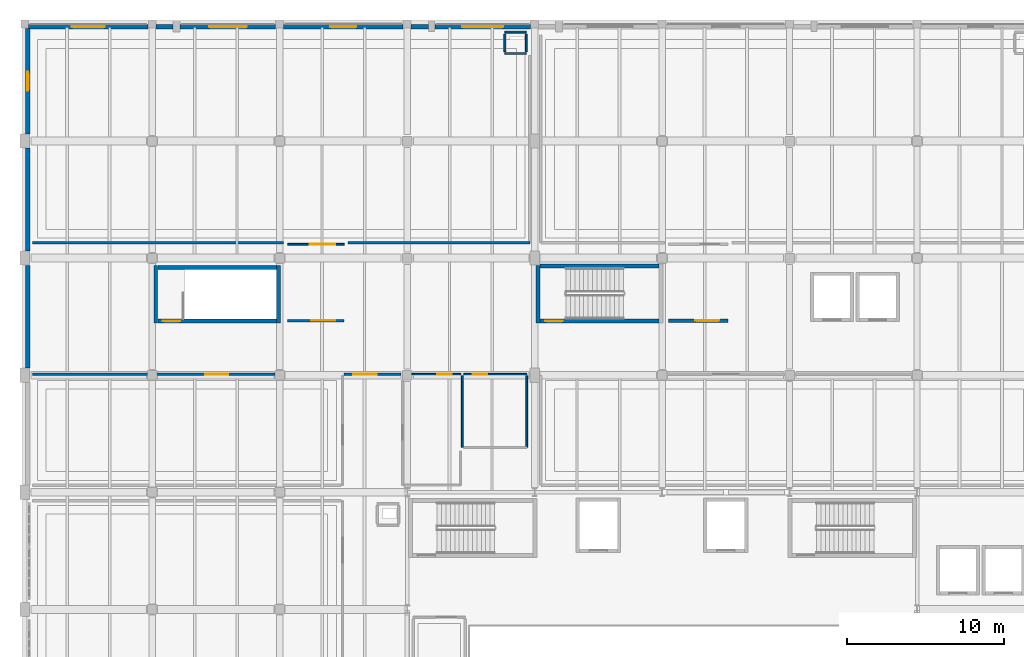
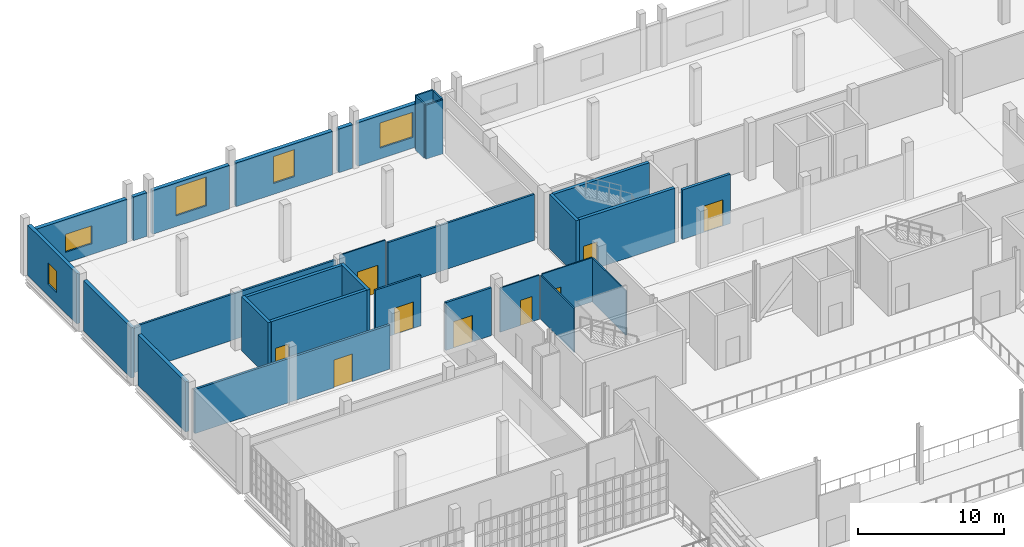
# One storey, part 92 of 104: 31 walls, 9 doors, 5 windows, 14 openings.
"""IFC4 building model written with IfcOpenShell, lengths in metres."""

from ifc_helpers import new_model, si_unit, direction, frame, frame_2d, origin, place, context, subcontext, project, spatial, rectangle, extrude, material, layer, layer_set, type_object, element, fill, save


model = new_model("IFC4")

# Units and contexts
model_context = context("Model", 3, precision=1e-05, world=origin(), true_north=direction((0.0, 1.0)))
body_context = subcontext(model_context, "Body", "Model", "MODEL_VIEW")
ifc_project = project(units=[si_unit("LENGTHUNIT", "METRE"), si_unit("AREAUNIT", "SQUARE_METRE"), si_unit("VOLUMEUNIT", "CUBIC_METRE"), si_unit("PLANEANGLEUNIT", "RADIAN"), si_unit("MASSUNIT", "GRAM", prefix="KILO")], contexts=[model_context])

# Site, building, storey
site_placement = place(None, origin())
site = spatial("IfcSite", under=ifc_project, at=site_placement, CompositionType="ELEMENT")
building_placement = place(site_placement, origin())
building = spatial("IfcBuilding", under=site, at=building_placement, Name="Kaelora Sail Theatre", CompositionType="ELEMENT")
storey_placement = place(building_placement, frame((0.0, 0.0, 5.39990234375)))
storey = spatial("IfcBuildingStorey", under=building, at=storey_placement, Name="L01", CompositionType="ELEMENT", Elevation=5.39990234375)

# Wall, opening, door
ifc_material_1 = material(Name="Concrete C40/50", Category="concrete")
ifc_layer_1 = layer(ifc_material_1, 0.25)
ifc_layer_set_1 = layer_set([ifc_layer_1], Name="Concrete C40/50")
wall_type_1 = type_object("IfcWallType", Name="ARC-WL-CW-250", PredefinedType="SHEAR", material=ifc_layer_set_1)
wall_1_placement = place(storey_placement, frame((34.2548828125, 94.22509765625, 0.0), z_axis=(0.0, 0.0, 1.0), x_axis=(1.0, 0.0, 0.0)))
wall_1 = element("IfcWall", 1, at=wall_1_placement, inside=storey, type_object=wall_type_1, Name="Stair shaft ST-K2 wall L01-S", PredefinedType="SHEAR", context=body_context, shape_type="SweptSolid", body=[
    extrude(rectangle(XDim=7.5400390625, YDim=0.25, at=frame_2d((3.77001953125, 0.0))), origin(), (0.0, 0.0, 1.0), 4.525146484375),
])
opening_1_placement = place(wall_1_placement, frame((0.320068359375, 0.0, 0.0)))
opening_1 = element("IfcOpeningElement", 2, at=opening_1_placement, cuts=wall_1, Name="Opening FD-02", PredefinedType="OPENING", context=body_context, shape_type="SweptSolid", body=[
    extrude(rectangle(XDim=1.10009765625, YDim=2.199951171875, at=frame_2d((0.550048828125, 1.10009765625))), frame((0.0, 0.135, 0.0), z_axis=(0.0, -1.0, 0.0), x_axis=(1.0, 0.0, 0.0)), (0.0, 0.0, 1.0), 0.27),
])
ifc_material_2 = material(Name="Acoustic steel single stair/lobby fire door EI 90-C", Category="steel")
door_type_1 = type_object("IfcDoorType", Name="ARC-DR-FD-02", OperationType="NOTDEFINED", PredefinedType="DOOR", material=ifc_material_2)
door_1_placement = place(opening_1_placement, origin())
door_1 = element("IfcDoor", 3, at=door_1_placement, inside=storey, type_object=door_type_1, Name="Stair ST-K2 door (L01)", OperationType="SINGLE_SWING_RIGHT", OverallHeight=2.199951171875, OverallWidth=1.10009765625, PredefinedType="DOOR", context=body_context, shape_type="SweptSolid", body=[
    extrude(rectangle(XDim=1.10009765625, YDim=2.199951171875, at=frame_2d((0.550048828125, 1.10009765625))), frame((0.0, 0.02490234375, 0.0), z_axis=(0.0, -1.0, 0.0), x_axis=(1.0, 0.0, 0.0)), (0.0, 0.0, 1.0), 0.050048828125),
])
fill(opening_1, door_1)

# Walls
wall_2_placement = place(storey_placement, frame((34.2548828125, 97.72509765625, 0.0), z_axis=(0.0, 0.0, 1.0), x_axis=(1.0, 0.0, 0.0)))
element("IfcWall", 4, at=wall_2_placement, inside=storey, type_object=wall_type_1, Name="Stair shaft ST-K2 wall L01-N", PredefinedType="SHEAR", context=body_context, shape_type="SweptSolid", body=[
    extrude(rectangle(XDim=7.5400390625, YDim=0.25, at=frame_2d((3.77001953125, 0.0))), origin(), (0.0, 0.0, 1.0), 4.525146484375),
])
wall_3_placement = place(storey_placement, frame((34.125, 94.10009765625, 0.0), z_axis=(0.0, 0.0, 1.0), x_axis=(0.0, 1.0, 0.0)))
element("IfcWall", 5, at=wall_3_placement, inside=storey, type_object=wall_type_1, Name="Stair shaft ST-K2 wall L01-W", PredefinedType="SHEAR", context=body_context, shape_type="SweptSolid", body=[
    extrude(rectangle(XDim=3.664794921875, YDim=0.25, at=frame_2d((1.83251953125, 0.0))), origin(), (0.0, 0.0, 1.0), 4.525146484375),
])

# Wall, opening, door
wall_4_placement = place(storey_placement, frame((9.955078125, 94.22509765625, 0.0), z_axis=(0.0, 0.0, 1.0), x_axis=(1.0, 0.0, 0.0)))
wall_4 = element("IfcWall", 6, at=wall_4_placement, inside=storey, type_object=wall_type_1, Name="Stair shaft ST-W1 wall L01-S", PredefinedType="SHEAR", context=body_context, shape_type="SweptSolid", body=[
    extrude(rectangle(XDim=7.5400390625, YDim=0.25, at=frame_2d((3.77001953125, 0.0))), origin(), (0.0, 0.0, 1.0), 4.525146484375),
])
opening_2_placement = place(wall_4_placement, frame((0.320068359375, 0.0, 0.0)))
opening_2 = element("IfcOpeningElement", 7, at=opening_2_placement, cuts=wall_4, Name="Opening FD-02", PredefinedType="OPENING", context=body_context, shape_type="SweptSolid", body=[
    extrude(rectangle(XDim=1.10009765625, YDim=2.199951171875, at=frame_2d((0.550048828125, 1.10009765625))), frame((0.0, 0.135, 0.0), z_axis=(0.0, -1.0, 0.0), x_axis=(1.0, 0.0, 0.0)), (0.0, 0.0, 1.0), 0.27),
])
door_2_placement = place(opening_2_placement, origin())
door_2 = element("IfcDoor", 8, at=door_2_placement, inside=storey, type_object=door_type_1, Name="Stair ST-W1 door (L01)", OperationType="SINGLE_SWING_LEFT", OverallHeight=2.199951171875, OverallWidth=1.10009765625, PredefinedType="DOOR", context=body_context, shape_type="SweptSolid", body=[
    extrude(rectangle(XDim=1.10009765625, YDim=2.199951171875, at=frame_2d((0.550048828125, 1.10009765625))), frame((0.0, 0.02490234375, 0.0), z_axis=(0.0, -1.0, 0.0), x_axis=(1.0, 0.0, 0.0)), (0.0, 0.0, 1.0), 0.050048828125),
])
fill(opening_2, door_2)

# Walls
wall_5_placement = place(storey_placement, frame((9.955078125, 97.625, 0.0), z_axis=(0.0, 0.0, 1.0), x_axis=(1.0, 0.0, 0.0)))
element("IfcWall", 9, at=wall_5_placement, inside=storey, type_object=wall_type_1, Name="Stair shaft ST-W1 wall L01-N", PredefinedType="SHEAR", context=body_context, shape_type="SweptSolid", body=[
    extrude(rectangle(XDim=7.5400390625, YDim=0.25, at=frame_2d((3.77001953125, 0.0))), origin(), (0.0, 0.0, 1.0), 4.525146484375),
])
for number, where, z_axis, x_axis, name in (
    (10, (9.824951171875, 94.10009765625, 0.0), (0.0, 0.0, 1.0), (0.0, 1.0, 0.0), "Stair shaft ST-W1 wall L01-W"),
    (11, (17.625, 94.10009765625, 0.0), (0.0, 0.0, 1.0), (0.0, 1.0, 0.0), "Stair shaft ST-W1 wall L01-E"),
):
    element("IfcWall", number, at=place(storey_placement, frame(where, z_axis=z_axis, x_axis=x_axis)), inside=storey, type_object=wall_type_1, Name=name, PredefinedType="SHEAR", context=body_context, shape_type="SweptSolid", body=[
        extrude(rectangle(XDim=3.64990234375, YDim=0.25, at=frame_2d((1.824951171875, 0.0))), origin(), (0.0, 0.0, 1.0), 4.525146484375),
    ])
ifc_material_3 = material(Name="Precast concrete C45/55", Category="concrete")
ifc_layer_2 = layer(ifc_material_3, 0.280029296875)
ifc_layer_set_2 = layer_set([ifc_layer_2], Name="Precast concrete C45/55")
wall_type_2 = type_object("IfcWallType", Name="ARC-WL-EW-280", PredefinedType="SOLIDWALL", material=ifc_layer_set_2)
wall_6_placement = place(storey_placement, frame((1.679931640625, 91.235107421875, 0.0), z_axis=(0.0, 0.0, 1.0), x_axis=(0.0, 1.0, 0.0)))
element("IfcWall", 12, at=wall_6_placement, inside=storey, type_object=wall_type_2, Name="Stepped Wing Facade Wall WWAL-NW1-L01-S2", PredefinedType="SOLIDWALL", context=body_context, shape_type="SweptSolid", body=[
    extrude(rectangle(XDim=6.52978515625, YDim=0.280029296875, at=frame_2d((3.264892578125, 0.0))), origin(), (0.0, 0.0, 1.0), 4.18701171875),
])
wall_7_placement = place(storey_placement, frame((1.679931640625, 98.675048828125, 0.0), z_axis=(0.0, 0.0, 1.0), x_axis=(0.0, 1.0, 0.0)))
element("IfcWall", 13, at=wall_7_placement, inside=storey, type_object=wall_type_2, Name="Stepped Wing Facade Wall WWAL-NW1-L01-S3", PredefinedType="SOLIDWALL", context=body_context, shape_type="SweptSolid", body=[
    extrude(rectangle(XDim=6.530029296875, YDim=0.280029296875, at=frame_2d((3.26513671875, 0.0))), origin(), (0.0, 0.0, 1.0), 4.18701171875),
])

# Wall, opening, window
wall_8_placement = place(storey_placement, frame((1.679931640625, 106.114990234375, 0.0), z_axis=(0.0, 0.0, 1.0), x_axis=(0.0, 1.0, 0.0)))
wall_8 = element("IfcWall", 14, at=wall_8_placement, inside=storey, type_object=wall_type_2, Name="Stepped Wing Facade Wall WWAL-NW1-L01-S4", PredefinedType="SOLIDWALL", context=body_context, shape_type="SweptSolid", body=[
    extrude(rectangle(XDim=6.68505859375, YDim=0.280029296875, at=frame_2d((3.342529296875, 0.0))), origin(), (0.0, 0.0, 1.0), 4.18701171875),
])
opening_3_placement = place(wall_8_placement, frame((2.742919921875, 0.0, 0.949951171875)))
opening_3 = element("IfcOpeningElement", 15, at=opening_3_placement, cuts=wall_8, Name="Opening W-05", PredefinedType="OPENING", context=body_context, shape_type="SweptSolid", body=[
    extrude(rectangle(XDim=1.199951171875, YDim=1.800048828125, at=frame_2d((0.60009765625, 0.89990234375))), frame((0.0, 0.150137, 0.0), z_axis=(0.0, -1.0, 0.0), x_axis=(1.0, 0.0, 0.0)), (0.0, 0.0, 1.0), 0.300029),
])
ifc_material_4 = material(Name="Thermally broken aluminium and low-E double glazing", Category="aluminium")
window_type_1 = type_object("IfcWindowType", Name="ARC-WIN-W-05", PartitioningType="SINGLE_PANEL", PredefinedType="WINDOW", material=ifc_material_4)
window_1_placement = place(opening_3_placement, origin())
window_1 = element("IfcWindow", 16, at=window_1_placement, inside=storey, type_object=window_type_1, Name="Stepped Wing Window WWAL-NW1-L01-S4", OverallHeight=1.800048828125, OverallWidth=1.199951171875, PartitioningType="SINGLE_PANEL", PredefinedType="WINDOW", context=body_context, shape_type="SweptSolid", body=[
    extrude(rectangle(XDim=1.199951171875, YDim=1.800048828125, at=frame_2d((0.60009765625, 0.89990234375))), frame((0.0, 0.030029296875, 0.0), z_axis=(0.0, -1.0, 0.0), x_axis=(1.0, 0.0, 0.0)), (0.0, 0.0, 1.0), 0.06005859375),
])
fill(opening_3, window_1)

ifc_material_5 = material(Name="Concrete C40/50", Category="concrete")
ifc_layer_3 = layer(ifc_material_5, 0.300048828125)
ifc_layer_set_3 = layer_set([ifc_layer_3], Name="Concrete C40/50")
wall_type_3 = type_object("IfcWallType", Name="ARC-WL-EW-300", PredefinedType="SOLIDWALL", material=ifc_layer_set_3)
wall_9_placement = place(storey_placement, frame((1.7548828125, 112.919921875, 0.0), z_axis=(0.0, 0.0, 1.0), x_axis=(1.0, 0.0, 0.0)))
wall_9 = element("IfcWall", 17, at=wall_9_placement, inside=storey, type_object=wall_type_3, Name="North Conservatory/Production Facade Wall L01 B01", PredefinedType="SOLIDWALL", context=body_context, shape_type="SweptSolid", body=[
    extrude(rectangle(XDim=7.590087890625, YDim=0.300048828125, at=frame_2d((3.794921875, 0.0))), origin(), (0.0, 0.0, 1.0), 3.63720703125),
])
opening_4_placement = place(wall_9_placement, frame((2.7451171875, 0.0, 0.89990234375)))
opening_4 = element("IfcOpeningElement", 18, at=opening_4_placement, cuts=wall_9, Name="Opening W-06", PredefinedType="OPENING", context=body_context, shape_type="SweptSolid", body=[
    extrude(rectangle(XDim=2.10009765625, YDim=1.5, at=frame_2d((1.050048828125, 0.75))), frame((0.0, 0.159902, 0.0), z_axis=(0.0, -1.0, 0.0), x_axis=(1.0, 0.0, 0.0)), (0.0, 0.0, 1.0), 0.320049),
])
ifc_material_6 = material(Name="Thermally broken aluminium and low-E double glazing", Category="aluminium")
window_type_2 = type_object("IfcWindowType", Name="ARC-WIN-W-06", PartitioningType="SINGLE_PANEL", PredefinedType="WINDOW", material=ifc_material_6)
window_2_placement = place(opening_4_placement, origin())
window_2 = element("IfcWindow", 19, at=window_2_placement, inside=storey, type_object=window_type_2, Name="North facade window L01 B01", OverallHeight=1.5, OverallWidth=2.10009765625, PartitioningType="SINGLE_PANEL", PredefinedType="WINDOW", context=body_context, shape_type="SweptSolid", body=[
    extrude(rectangle(XDim=2.10009765625, YDim=1.5, at=frame_2d((1.050048828125, 0.75))), frame((0.0, 0.030029296875, 0.0), z_axis=(0.0, -1.0, 0.0), x_axis=(1.0, 0.0, 0.0)), (0.0, 0.0, 1.0), 0.06005859375),
])
fill(opening_4, window_2)

wall_10_placement = place(storey_placement, frame((11.3798828125, 112.919921875, 0.0), z_axis=(0.0, 0.0, 1.0), x_axis=(1.0, 0.0, 0.0)))
wall_10 = element("IfcWall", 20, at=wall_10_placement, inside=storey, type_object=wall_type_3, Name="North Conservatory/Production Facade Wall L01 B02", PredefinedType="SOLIDWALL", context=body_context, shape_type="SweptSolid", body=[
    extrude(rectangle(XDim=6.065185546875, YDim=0.300048828125, at=frame_2d((3.03271484375, 0.0))), origin(), (0.0, 0.0, 1.0), 3.63720703125),
])
opening_5_placement = place(wall_10_placement, frame((1.83203125, 0.0, 0.89990234375)))
opening_5 = element("IfcOpeningElement", 21, at=opening_5_placement, cuts=wall_10, Name="Opening W-09", PredefinedType="OPENING", context=body_context, shape_type="SweptSolid", body=[
    extrude(rectangle(XDim=2.39990234375, YDim=2.39990234375, at=frame_2d((1.199951171875, 1.199951171875))), frame((0.0, 0.159902, 0.0), z_axis=(0.0, -1.0, 0.0), x_axis=(1.0, 0.0, 0.0)), (0.0, 0.0, 1.0), 0.320049),
])
ifc_material_7 = material(Name="Thermally broken aluminium and low-E double glazing", Category="aluminium")
window_type_3 = type_object("IfcWindowType", Name="ARC-WIN-W-09", PartitioningType="SINGLE_PANEL", PredefinedType="WINDOW", material=ifc_material_7)
window_3_placement = place(opening_5_placement, origin())
window_3 = element("IfcWindow", 22, at=window_3_placement, inside=storey, type_object=window_type_3, Name="North facade window L01 B02", OverallHeight=2.39990234375, OverallWidth=2.39990234375, PartitioningType="SINGLE_PANEL", PredefinedType="WINDOW", context=body_context, shape_type="SweptSolid", body=[
    extrude(rectangle(XDim=2.39990234375, YDim=2.39990234375, at=frame_2d((1.199951171875, 1.199951171875))), frame((0.0, 0.030029296875, 0.0), z_axis=(0.0, -1.0, 0.0), x_axis=(1.0, 0.0, 0.0)), (0.0, 0.0, 1.0), 0.06005859375),
])
fill(opening_5, window_3)

# Wall
wall_11_placement = place(storey_placement, frame((9.85498046875, 112.919921875, 0.0), z_axis=(0.0, 0.0, 1.0), x_axis=(1.0, 0.0, 0.0)))
element("IfcWall", 23, at=wall_11_placement, inside=storey, type_object=wall_type_3, Name="North Facade Pilaster Spandrel Pier L01 B02", PredefinedType="SOLIDWALL", context=body_context, shape_type="SweptSolid", body=[
    extrude(rectangle(XDim=1.06494140625, YDim=0.300048828125, at=frame_2d((0.532470703125, 0.0))), origin(), (0.0, 0.0, 1.0), 3.63720703125),
])

# Wall, opening, window
wall_12_placement = place(storey_placement, frame((17.955078125, 112.919921875, 0.0), z_axis=(0.0, 0.0, 1.0), x_axis=(1.0, 0.0, 0.0)))
wall_12 = element("IfcWall", 24, at=wall_12_placement, inside=storey, type_object=wall_type_3, Name="North Conservatory/Production Facade Wall L01 B03", PredefinedType="SOLIDWALL", context=body_context, shape_type="SweptSolid", body=[
    extrude(rectangle(XDim=7.58984375, YDim=0.300048828125, at=frame_2d((3.794921875, 0.0))), origin(), (0.0, 0.0, 1.0), 3.63720703125),
])
opening_6_placement = place(wall_12_placement, frame((2.969970703125, 0.0, 0.89990234375)))
opening_6 = element("IfcOpeningElement", 25, at=opening_6_placement, cuts=wall_12, Name="Opening W-14", PredefinedType="OPENING", context=body_context, shape_type="SweptSolid", body=[
    extrude(rectangle(XDim=1.64990234375, YDim=2.25, at=frame_2d((0.824951171875, 1.125))), frame((0.0, 0.159902, 0.0), z_axis=(0.0, -1.0, 0.0), x_axis=(1.0, 0.0, 0.0)), (0.0, 0.0, 1.0), 0.320049),
])
ifc_material_8 = material(Name="Thermally broken aluminium and low-E double glazing", Category="aluminium")
window_type_4 = type_object("IfcWindowType", Name="ARC-WIN-W-14", PartitioningType="SINGLE_PANEL", PredefinedType="WINDOW", material=ifc_material_8)
window_4_placement = place(opening_6_placement, origin())
window_4 = element("IfcWindow", 26, at=window_4_placement, inside=storey, type_object=window_type_4, Name="North facade window L01 B03", OverallHeight=2.25, OverallWidth=1.64990234375, PartitioningType="SINGLE_PANEL", PredefinedType="WINDOW", context=body_context, shape_type="SweptSolid", body=[
    extrude(rectangle(XDim=1.64990234375, YDim=2.25, at=frame_2d((0.824951171875, 1.125))), frame((0.0, 0.030029296875, 0.0), z_axis=(0.0, -1.0, 0.0), x_axis=(1.0, 0.0, 0.0)), (0.0, 0.0, 1.0), 0.06005859375),
])
fill(opening_6, window_4)

wall_13_placement = place(storey_placement, frame((27.554931640625, 112.919921875, 0.0), z_axis=(0.0, 0.0, 1.0), x_axis=(1.0, 0.0, 0.0)))
wall_13 = element("IfcWall", 27, at=wall_13_placement, inside=storey, type_object=wall_type_3, Name="North Conservatory/Production Facade Wall L01 B04", PredefinedType="SOLIDWALL", context=body_context, shape_type="SweptSolid", body=[
    extrude(rectangle(XDim=6.090087890625, YDim=0.300048828125, at=frame_2d((3.044921875, 0.0))), origin(), (0.0, 0.0, 1.0), 3.63720703125),
])
opening_7_placement = place(wall_13_placement, frame((1.7451171875, 0.0, 0.89990234375)))
opening_7 = element("IfcOpeningElement", 28, at=opening_7_placement, cuts=wall_13, Name="Opening W-17", PredefinedType="OPENING", context=body_context, shape_type="SweptSolid", body=[
    extrude(rectangle(XDim=2.60009765625, YDim=2.10009765625, at=frame_2d((1.300048828125, 1.050048828125))), frame((0.0, 0.159902, 0.0), z_axis=(0.0, -1.0, 0.0), x_axis=(1.0, 0.0, 0.0)), (0.0, 0.0, 1.0), 0.320049),
])
ifc_material_9 = material(Name="Thermally broken aluminium and low-E double glazing", Category="aluminium")
window_type_5 = type_object("IfcWindowType", Name="ARC-WIN-W-17", PartitioningType="SINGLE_PANEL", PredefinedType="WINDOW", material=ifc_material_9)
window_5_placement = place(opening_7_placement, origin())
window_5 = element("IfcWindow", 29, at=window_5_placement, inside=storey, type_object=window_type_5, Name="North facade window L01 B04", OverallHeight=2.10009765625, OverallWidth=2.60009765625, PartitioningType="SINGLE_PANEL", PredefinedType="WINDOW", context=body_context, shape_type="SweptSolid", body=[
    extrude(rectangle(XDim=2.60009765625, YDim=2.10009765625, at=frame_2d((1.300048828125, 1.050048828125))), frame((0.0, 0.030029296875, 0.0), z_axis=(0.0, -1.0, 0.0), x_axis=(1.0, 0.0, 0.0)), (0.0, 0.0, 1.0), 0.06005859375),
])
fill(opening_7, window_5)

# Wall
wall_14_placement = place(storey_placement, frame((26.054931640625, 112.919921875, 0.0), z_axis=(0.0, 0.0, 1.0), x_axis=(1.0, 0.0, 0.0)))
element("IfcWall", 30, at=wall_14_placement, inside=storey, type_object=wall_type_3, Name="North Facade Pilaster Spandrel Pier L01 B04", PredefinedType="SOLIDWALL", context=body_context, shape_type="SweptSolid", body=[
    extrude(rectangle(XDim=1.090087890625, YDim=0.300048828125, at=frame_2d((0.544921875, 0.0))), origin(), (0.0, 0.0, 1.0), 3.63720703125),
])

# Wall, opening, door
ifc_material_10 = material(Name="Demountable acoustic studio wall 150 mm", Category="timber")
ifc_layer_4 = layer(ifc_material_10, 0.14990234375)
ifc_layer_set_4 = layer_set([ifc_layer_4], Name="Demountable acoustic studio wall 150 mm")
wall_type_4 = type_object("IfcWallType", Name="ARC-WL-MV-150", PredefinedType="MOVABLE", material=ifc_layer_set_4)
wall_15_placement = place(storey_placement, frame((18.199951171875, 94.25, 0.0), z_axis=(0.0, 0.0, 1.0), x_axis=(1.0, 0.0, 0.0)))
wall_15 = element("IfcWall", 31, at=wall_15_placement, inside=storey, type_object=wall_type_4, Name="Interior acoustic partition L01-COR-BOH/L01-COR-SP1", PredefinedType="MOVABLE", context=body_context, shape_type="SweptSolid", body=[
    extrude(rectangle(XDim=3.60009765625, YDim=0.14990234375, at=frame_2d((1.800048828125, 0.0))), origin(), (0.0, 0.0, 1.0), 4.217041015625),
])
opening_8_placement = place(wall_15_placement, frame((1.52001953125, 0.0, 0.0)))
opening_8 = element("IfcOpeningElement", 32, at=opening_8_placement, cuts=wall_15, Name="Opening FD-01", PredefinedType="OPENING", context=body_context, shape_type="SweptSolid", body=[
    extrude(rectangle(XDim=1.5, YDim=2.199951171875, at=frame_2d((0.75, 1.10009765625))), frame((0.0, 0.084951, 0.0), z_axis=(0.0, -1.0, 0.0), x_axis=(1.0, 0.0, 0.0)), (0.0, 0.0, 1.0), 0.169902),
])
ifc_material_11 = material(Name="Acoustic steel double fire door EI 90-C", Category="steel")
door_type_2 = type_object("IfcDoorType", Name="ARC-DR-FD-01", OperationType="NOTDEFINED", PredefinedType="DOOR", material=ifc_material_11)
door_3_placement = place(opening_8_placement, origin())
door_3 = element("IfcDoor", 33, at=door_3_placement, inside=storey, type_object=door_type_2, Name="Interior door L01-COR-BOH to L01-COR-SP1", OperationType="DOUBLE_DOOR_SINGLE_SWING", OverallHeight=2.199951171875, OverallWidth=1.5, PredefinedType="DOOR", context=body_context, shape_type="SweptSolid", body=[
    extrude(rectangle(XDim=1.5, YDim=2.199951171875, at=frame_2d((0.75, 1.10009765625))), frame((0.0, 0.02490234375, 0.0), z_axis=(0.0, -1.0, 0.0), x_axis=(1.0, 0.0, 0.0)), (0.0, 0.0, 1.0), 0.050048828125),
])
fill(opening_8, door_3)

ifc_material_12 = material(Name="Sanitary moisture-resistant partition 100 mm", Category="gypsum")
ifc_layer_5 = layer(ifc_material_12, 0.10009765625)
ifc_layer_set_5 = layer_set([ifc_layer_5], Name="Sanitary moisture-resistant partition 100 mm")
wall_type_5 = type_object("IfcWallType", Name="ARC-WL-PT-100", PredefinedType="PARTITIONING", material=ifc_layer_set_5)
wall_16_placement = place(storey_placement, frame((26.10498046875, 90.85009765625, 0.0), z_axis=(0.0, 0.0, 1.0), x_axis=(1.0, 0.0, 0.0)))
wall_16 = element("IfcWall", 34, at=wall_16_placement, inside=storey, type_object=wall_type_5, Name="Interior acoustic partition L01-COR-BOH/L01-WC-ART", PredefinedType="PARTITIONING", context=body_context, shape_type="SweptSolid", body=[
    extrude(rectangle(XDim=3.094970703125, YDim=0.10009765625, at=frame_2d((1.54736328125, 0.0))), origin(), (0.0, 0.0, 1.0), 3.68701171875),
])
opening_9_placement = place(wall_16_placement, frame((1.614990234375, 0.0, 0.0)))
opening_9 = element("IfcOpeningElement", 35, at=opening_9_placement, cuts=wall_16, Name="Opening ID-03", PredefinedType="OPENING", context=body_context, shape_type="SweptSolid", body=[
    extrude(rectangle(XDim=0.89990234375, YDim=2.10009765625, at=frame_2d((0.449951171875, 1.050048828125))), frame((0.0, 0.060049, 0.0), z_axis=(0.0, -1.0, 0.0), x_axis=(1.0, 0.0, 0.0)), (0.0, 0.0, 1.0), 0.120098),
])
ifc_material_13 = material(Name="Accessible sanitary laminate door", Category="timber")
door_type_3 = type_object("IfcDoorType", Name="ARC-DR-ID-03", OperationType="NOTDEFINED", PredefinedType="DOOR", material=ifc_material_13)
door_4_placement = place(opening_9_placement, origin())
door_4 = element("IfcDoor", 36, at=door_4_placement, inside=storey, type_object=door_type_3, Name="Interior door L01-COR-BOH to L01-WC-ART", OperationType="SINGLE_SWING_RIGHT", OverallHeight=2.10009765625, OverallWidth=0.89990234375, PredefinedType="DOOR", context=body_context, shape_type="SweptSolid", body=[
    extrude(rectangle(XDim=0.89990234375, YDim=2.10009765625, at=frame_2d((0.449951171875, 1.050048828125))), frame((0.0, 0.02490234375, 0.0), z_axis=(0.0, -1.0, 0.0), x_axis=(1.0, 0.0, 0.0)), (0.0, 0.0, 1.0), 0.050048828125),
])
fill(opening_9, door_4)

wall_17_placement = place(storey_placement, frame((29.39990234375, 90.85009765625, 0.0), z_axis=(0.0, 0.0, 1.0), x_axis=(1.0, 0.0, 0.0)))
wall_17 = element("IfcWall", 37, at=wall_17_placement, inside=storey, type_object=wall_type_5, Name="Interior acoustic partition L01-COR-BOH/L01-WC-ARTACC", PredefinedType="PARTITIONING", context=body_context, shape_type="SweptSolid", body=[
    extrude(rectangle(XDim=4.0, YDim=0.10009765625, at=frame_2d((2.0, 0.0))), origin(), (0.0, 0.0, 1.0), 3.68701171875),
])
opening_10_placement = place(wall_17_placement, frame((0.580078125, 0.0, 0.0)))
opening_10 = element("IfcOpeningElement", 38, at=opening_10_placement, cuts=wall_17, Name="Opening ID-03", PredefinedType="OPENING", context=body_context, shape_type="SweptSolid", body=[
    extrude(rectangle(XDim=0.89990234375, YDim=2.10009765625, at=frame_2d((0.449951171875, 1.050048828125))), frame((0.0, 0.060049, 0.0), z_axis=(0.0, -1.0, 0.0), x_axis=(1.0, 0.0, 0.0)), (0.0, 0.0, 1.0), 0.120098),
])
door_5_placement = place(opening_10_placement, origin())
door_5 = element("IfcDoor", 39, at=door_5_placement, inside=storey, type_object=door_type_3, Name="Interior door L01-COR-BOH to L01-WC-ARTACC", OperationType="SINGLE_SWING_RIGHT", OverallHeight=2.10009765625, OverallWidth=0.89990234375, PredefinedType="DOOR", context=body_context, shape_type="SweptSolid", body=[
    extrude(rectangle(XDim=0.89990234375, YDim=2.10009765625, at=frame_2d((0.449951171875, 1.050048828125))), frame((0.0, 0.02490234375, 0.0), z_axis=(0.0, -1.0, 0.0), x_axis=(1.0, 0.0, 0.0)), (0.0, 0.0, 1.0), 0.050048828125),
])
fill(opening_10, door_5)

wall_18_placement = place(storey_placement, frame((18.199951171875, 99.10009765625, 0.0), z_axis=(0.0, 0.0, 1.0), x_axis=(1.0, 0.0, 0.0)))
wall_18 = element("IfcWall", 40, at=wall_18_placement, inside=storey, type_object=wall_type_5, Name="Interior acoustic partition L01-COR-SP1/L01-CHORUS-F", PredefinedType="PARTITIONING", context=body_context, shape_type="SweptSolid", body=[
    extrude(rectangle(XDim=3.60009765625, YDim=0.10009765625, at=frame_2d((1.800048828125, 0.0))), origin(), (0.0, 0.0, 1.0), 4.18701171875),
])
opening_11_placement = place(wall_18_placement, frame((1.419921875, 0.0, 0.0)))
opening_11 = element("IfcOpeningElement", 41, at=opening_11_placement, cuts=wall_18, Name="Opening ID-04", PredefinedType="OPENING", context=body_context, shape_type="SweptSolid", body=[
    extrude(rectangle(XDim=1.60009765625, YDim=2.300048828125, at=frame_2d((0.800048828125, 1.14990234375))), frame((0.0, 0.060049, 0.0), z_axis=(0.0, -1.0, 0.0), x_axis=(1.0, 0.0, 0.0)), (0.0, 0.0, 1.0), 0.120098),
])
ifc_material_14 = material(Name="Rehearsal hall acoustic timber double door", Category="wood")
door_type_4 = type_object("IfcDoorType", Name="ARC-DR-ID-04", OperationType="NOTDEFINED", PredefinedType="DOOR", material=ifc_material_14)
door_6_placement = place(opening_11_placement, origin())
door_6 = element("IfcDoor", 42, at=door_6_placement, inside=storey, type_object=door_type_4, Name="Interior door L01-COR-SP1 to L01-CHORUS-F", OperationType="DOUBLE_DOOR_SINGLE_SWING", OverallHeight=2.300048828125, OverallWidth=1.60009765625, PredefinedType="DOOR", context=body_context, shape_type="SweptSolid", body=[
    extrude(rectangle(XDim=1.60009765625, YDim=2.300048828125, at=frame_2d((0.800048828125, 1.14990234375))), frame((0.0, 0.02490234375, 0.0), z_axis=(0.0, -1.0, 0.0), x_axis=(1.0, 0.0, 0.0)), (0.0, 0.0, 1.0), 0.050048828125),
])
fill(opening_11, door_6)

# Walls
for number, where, z_axis, x_axis, name in (
    (43, (29.300048828125, 86.199951171875, 0.0), (0.0, 0.0, 1.0), (0.0, 1.0, 0.0), "Interior acoustic partition L01-WC-ART/L01-WC-ARTACC"),
    (44, (33.39990234375, 86.199951171875, 0.0), (0.0, 0.0, 1.0), (0.0, 1.0, 0.0), "Room enclosure wall L01-WC-ARTACC-E1"),
):
    element("IfcWall", number, at=place(storey_placement, frame(where, z_axis=z_axis, x_axis=x_axis)), inside=storey, type_object=wall_type_5, Name=name, PredefinedType="PARTITIONING", context=body_context, shape_type="SweptSolid", body=[
        extrude(rectangle(XDim=4.550048828125, YDim=0.10009765625, at=frame_2d((2.27490234375, 0.0))), origin(), (0.0, 0.0, 1.0), 3.68701171875),
    ])
ifc_material_15 = material(Name="Standard metal-stud partition 120 mm", Category="gypsum")
ifc_layer_6 = layer(ifc_material_15, 0.1201171875)
ifc_layer_set_6 = layer_set([ifc_layer_6], Name="Standard metal-stud partition 120 mm")
wall_type_6 = type_object("IfcWallType", Name="ARC-WL-PT-120", PredefinedType="PARTITIONING", material=ifc_layer_set_6)
for number, where, z_axis, x_axis, name in (
    (45, (32.0048828125, 111.219970703125, 0.0), (0.0, 0.0, 1.0), (1.0, 0.0, 0.0), "MEP riser shaft wall NW1-L01-S"),
    (46, (32.0048828125, 112.580078125, 0.0), (0.0, 0.0, 1.0), (1.0, 0.0, 0.0), "MEP riser shaft wall NW1-L01-N"),
):
    element("IfcWall", number, at=place(storey_placement, frame(where, z_axis=z_axis, x_axis=x_axis)), inside=storey, type_object=wall_type_6, Name=name, PredefinedType="PARTITIONING", context=body_context, shape_type="SweptSolid", body=[
        extrude(rectangle(XDim=1.360107421875, YDim=0.1201171875, at=frame_2d((0.68017578125, 0.0))), origin(), (0.0, 0.0, 1.0), 4.505126953125),
    ])
for number, where, z_axis, x_axis, name in (
    (47, (32.0048828125, 111.340087890625, 0.0), (0.0, 0.0, 1.0), (0.0, 1.0, 0.0), "MEP riser shaft wall NW1-L01-W"),
    (48, (33.364990234375, 111.340087890625, 0.0), (0.0, 0.0, 1.0), (0.0, 1.0, 0.0), "MEP riser shaft wall NW1-L01-E"),
):
    element("IfcWall", number, at=place(storey_placement, frame(where, z_axis=z_axis, x_axis=x_axis)), inside=storey, type_object=wall_type_6, Name=name, PredefinedType="PARTITIONING", context=body_context, shape_type="SweptSolid", body=[
        extrude(rectangle(XDim=1.119873046875, YDim=0.1201171875, at=frame_2d((0.56005859375, 0.0))), origin(), (0.0, 0.0, 1.0), 4.505126953125),
    ])
ifc_material_16 = material(Name="Acoustic metal-stud plasterboard 160 mm", Category="gypsum")
ifc_layer_7 = layer(ifc_material_16, 0.159912109375)
ifc_layer_set_7 = layer_set([ifc_layer_7], Name="Acoustic metal-stud plasterboard 160 mm")
wall_type_7 = type_object("IfcWallType", Name="ARC-WL-PT-160", PredefinedType="PARTITIONING", material=ifc_layer_set_7)
wall_19_placement = place(storey_placement, frame((2.0, 99.199951171875, 0.0), z_axis=(0.0, 0.0, 1.0), x_axis=(1.0, 0.0, 0.0)))
element("IfcWall", 49, at=wall_19_placement, inside=storey, type_object=wall_type_7, Name="Room enclosure wall L01-CHORUS-F-S1", PredefinedType="PARTITIONING", context=body_context, shape_type="SweptSolid", body=[
    extrude(rectangle(XDim=15.949951171875, YDim=0.159912109375, at=frame_2d((7.97509765625, 0.0))), origin(), (0.0, 0.0, 1.0), 3.837158203125),
])
wall_20_placement = place(storey_placement, frame((22.050048828125, 99.199951171875, 0.0), z_axis=(0.0, 0.0, 1.0), x_axis=(1.0, 0.0, 0.0)))
element("IfcWall", 50, at=wall_20_placement, inside=storey, type_object=wall_type_7, Name="Room enclosure wall L01-CHORUS-F-S2", PredefinedType="PARTITIONING", context=body_context, shape_type="SweptSolid", body=[
    extrude(rectangle(XDim=11.550048828125, YDim=0.159912109375, at=frame_2d((5.77490234375, 0.0))), origin(), (0.0, 0.0, 1.0), 3.837158203125),
])

# Wall, opening, door
ifc_material_17 = material(Name="Workshop acoustic stud partition 170 mm", Category="gypsum")
ifc_layer_8 = layer(ifc_material_17, 0.169921875)
ifc_layer_set_8 = layer_set([ifc_layer_8], Name="Workshop acoustic stud partition 170 mm")
wall_type_8 = type_object("IfcWallType", Name="ARC-WL-PT-170", PredefinedType="PARTITIONING", material=ifc_layer_set_8)
wall_21_placement = place(storey_placement, frame((21.800048828125, 90.85009765625, 0.0), z_axis=(0.0, 0.0, 1.0), x_axis=(1.0, 0.0, 0.0)))
wall_21 = element("IfcWall", 51, at=wall_21_placement, inside=storey, type_object=wall_type_8, Name="Interior acoustic partition L01-COR-NLINKW/L01-COR-BOH", PredefinedType="PARTITIONING", context=body_context, shape_type="SweptSolid", body=[
    extrude(rectangle(XDim=3.599853515625, YDim=0.169921875, at=frame_2d((1.7998046875, 0.0))), origin(), (0.0, 0.0, 1.0), 3.987060546875),
])
opening_12_placement = place(wall_21_placement, frame((0.580078125, 0.0, 0.0)))
opening_12 = element("IfcOpeningElement", 52, at=opening_12_placement, cuts=wall_21, Name="Opening FD-01", PredefinedType="OPENING", context=body_context, shape_type="SweptSolid", body=[
    extrude(rectangle(XDim=1.5, YDim=2.199951171875, at=frame_2d((0.75, 1.10009765625))), frame((0.0, 0.094961, 0.0), z_axis=(0.0, -1.0, 0.0), x_axis=(1.0, 0.0, 0.0)), (0.0, 0.0, 1.0), 0.189922),
])
door_7_placement = place(opening_12_placement, origin())
door_7 = element("IfcDoor", 53, at=door_7_placement, inside=storey, type_object=door_type_2, Name="Interior door L01-COR-NLINKW to L01-COR-BOH", OperationType="DOUBLE_DOOR_SINGLE_SWING", OverallHeight=2.199951171875, OverallWidth=1.5, PredefinedType="DOOR", context=body_context, shape_type="SweptSolid", body=[
    extrude(rectangle(XDim=1.5, YDim=2.199951171875, at=frame_2d((0.75, 1.10009765625))), frame((0.0, 0.02490234375, 0.0), z_axis=(0.0, -1.0, 0.0), x_axis=(1.0, 0.0, 0.0)), (0.0, 0.0, 1.0), 0.050048828125),
])
fill(opening_12, door_7)

wall_22_placement = place(storey_placement, frame((2.0, 90.85009765625, 0.0), z_axis=(0.0, 0.0, 1.0), x_axis=(1.0, 0.0, 0.0)))
wall_22 = element("IfcWall", 54, at=wall_22_placement, inside=storey, type_object=wall_type_8, Name="Interior acoustic partition L01-COR-BOH/L01-VOCAL-W", PredefinedType="PARTITIONING", context=body_context, shape_type="SweptSolid", body=[
    extrude(rectangle(XDim=15.39501953125, YDim=0.169921875, at=frame_2d((7.697509765625, 0.0))), origin(), (0.0, 0.0, 1.0), 3.68701171875),
])
opening_13_placement = place(wall_22_placement, frame((10.968017578125, 0.0, 0.0)))
opening_13 = element("IfcOpeningElement", 55, at=opening_13_placement, cuts=wall_22, Name="Opening ID-12", PredefinedType="OPENING", context=body_context, shape_type="SweptSolid", body=[
    extrude(rectangle(XDim=1.449951171875, YDim=2.300048828125, at=frame_2d((0.72509765625, 1.14990234375))), frame((0.0, 0.094961, 0.0), z_axis=(0.0, -1.0, 0.0), x_axis=(1.0, 0.0, 0.0)), (0.0, 0.0, 1.0), 0.189922),
])
ifc_material_18 = material(Name="Orchestra warm-up acoustic double door", Category="steel")
door_type_5 = type_object("IfcDoorType", Name="ARC-DR-ID-12", OperationType="NOTDEFINED", PredefinedType="DOOR", material=ifc_material_18)
door_8_placement = place(opening_13_placement, origin())
door_8 = element("IfcDoor", 56, at=door_8_placement, inside=storey, type_object=door_type_5, Name="Interior door L01-COR-BOH to L01-VOCAL-W", OperationType="DOUBLE_DOOR_SINGLE_SWING", OverallHeight=2.300048828125, OverallWidth=1.449951171875, PredefinedType="DOOR", context=body_context, shape_type="SweptSolid", body=[
    extrude(rectangle(XDim=1.449951171875, YDim=2.300048828125, at=frame_2d((0.72509765625, 1.14990234375))), frame((0.0, 0.02490234375, 0.0), z_axis=(0.0, -1.0, 0.0), x_axis=(1.0, 0.0, 0.0)), (0.0, 0.0, 1.0), 0.050048828125),
])
fill(opening_13, door_8)

ifc_material_19 = material(Name="Studio box-in-box acoustic partition 215 mm", Category="gypsum")
ifc_layer_9 = layer(ifc_material_19, 0.215087890625)
ifc_layer_set_9 = layer_set([ifc_layer_9], Name="Studio box-in-box acoustic partition 215 mm")
wall_type_9 = type_object("IfcWallType", Name="ARC-WL-PT-215", PredefinedType="PARTITIONING", material=ifc_layer_set_9)
wall_23_placement = place(storey_placement, frame((42.39990234375, 94.25, 0.0), z_axis=(0.0, 0.0, 1.0), x_axis=(1.0, 0.0, 0.0)))
wall_23 = element("IfcWall", 57, at=wall_23_placement, inside=storey, type_object=wall_type_9, Name="Interior acoustic partition L01-COR-BOH/L01-COR-SP2", PredefinedType="PARTITIONING", context=body_context, shape_type="SweptSolid", body=[
    extrude(rectangle(XDim=3.800048828125, YDim=0.215087890625, at=frame_2d((1.89990234375, 0.0))), origin(), (0.0, 0.0, 1.0), 4.127197265625),
])
opening_14_placement = place(wall_23_placement, frame((1.719970703125, 0.0, 0.0)))
opening_14 = element("IfcOpeningElement", 58, at=opening_14_placement, cuts=wall_23, Name="Opening FD-01", PredefinedType="OPENING", context=body_context, shape_type="SweptSolid", body=[
    extrude(rectangle(XDim=1.5, YDim=2.199951171875, at=frame_2d((0.75, 1.10009765625))), frame((0.0, 0.117422, 0.0), z_axis=(0.0, -1.0, 0.0), x_axis=(1.0, 0.0, 0.0)), (0.0, 0.0, 1.0), 0.235088),
])
door_9_placement = place(opening_14_placement, origin())
door_9 = element("IfcDoor", 59, at=door_9_placement, inside=storey, type_object=door_type_2, Name="Interior door L01-COR-BOH to L01-COR-SP2", OperationType="DOUBLE_DOOR_SINGLE_SWING", OverallHeight=2.199951171875, OverallWidth=1.5, PredefinedType="DOOR", context=body_context, shape_type="SweptSolid", body=[
    extrude(rectangle(XDim=1.5, YDim=2.199951171875, at=frame_2d((0.75, 1.10009765625))), frame((0.0, 0.02490234375, 0.0), z_axis=(0.0, -1.0, 0.0), x_axis=(1.0, 0.0, 0.0)), (0.0, 0.0, 1.0), 0.050048828125),
])
fill(opening_14, door_9)

save(model, "model.ifc")
